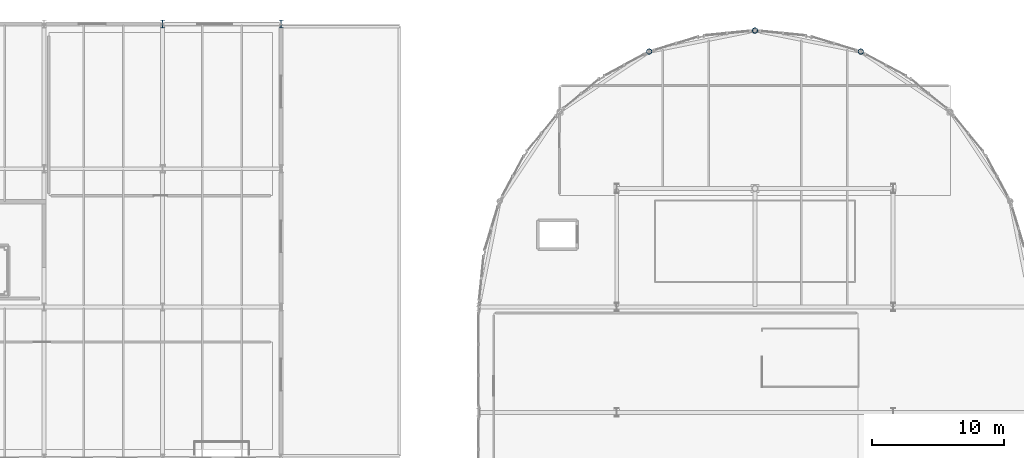
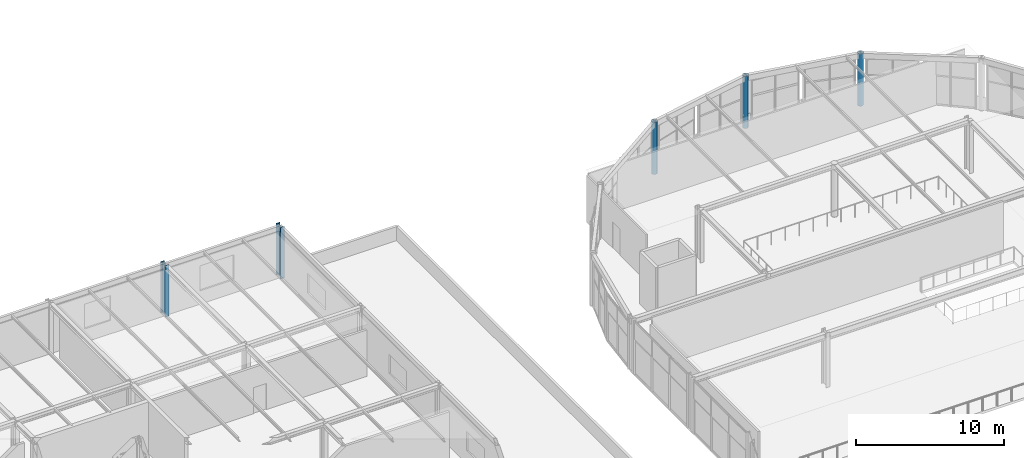
# One storey, part 13 of 105: 5 columns.
"""IFC4 building model written with IfcOpenShell, lengths in metres."""

from ifc_helpers import new_model, si_unit, direction, frame, origin, origin_2d, place, context, subcontext, project, spatial, hollow_circle, i_section, extrude, material, material_profile, profile_set, type_object, element, save


model = new_model("IFC4")

# Units and contexts
model_context = context("Model", 3, precision=1e-05, world=origin(), true_north=direction((0.0, 1.0)))
body_context = subcontext(model_context, "Body", "Model", "MODEL_VIEW")
ifc_project = project(units=[si_unit("LENGTHUNIT", "METRE"), si_unit("AREAUNIT", "SQUARE_METRE"), si_unit("VOLUMEUNIT", "CUBIC_METRE"), si_unit("PLANEANGLEUNIT", "RADIAN"), si_unit("MASSUNIT", "GRAM", prefix="KILO")], contexts=[model_context])

# Site, building, storey
site_placement = place(None, origin())
site = spatial("IfcSite", under=ifc_project, at=site_placement, CompositionType="ELEMENT")
building_placement = place(site_placement, origin())
building = spatial("IfcBuilding", under=site, at=building_placement, Name="Marlcrest Central Station", CompositionType="ELEMENT")
storey_placement = place(building_placement, frame((0.0, 0.0, 15.0)))
storey = spatial("IfcBuildingStorey", under=building, at=storey_placement, Name="L03", CompositionType="ELEMENT", Elevation=15.0)

# Columns
ifc_material = material(Name="Steel S355", Category="steel")
ifc_material_profile_1 = material_profile(ifc_material, i_section(OverallWidth=0.300048828125, OverallDepth=0.60009765625, WebThickness=0.015380859375, FlangeThickness=0.030029296875, FilletRadius=0.027099609375, at=origin_2d()), Name="HEB 600")
ifc_profile_set_1 = profile_set([ifc_material_profile_1], Name="Steel S355")
column_type_1 = type_object("IfcColumnType", Name="SC-05", PredefinedType="COLUMN", material=ifc_profile_set_1)
for number, where, z_axis, x_axis, name in (
    (1, (63.0, 132.0, 0.0), (0.0, 0.0, 1.0), (1.0, 0.0, 0.0), "col-SC-05-L03-0188"),
    (2, (72.0, 132.0, 0.0), (0.0, 0.0, 1.0), (1.0, 0.0, 0.0), "col-SC-05-L03-0192"),
):
    element("IfcColumn", number, at=place(storey_placement, frame(where, z_axis=z_axis, x_axis=x_axis)), inside=storey, type_object=column_type_1, Name=name, PredefinedType="COLUMN", context=body_context, shape_type="SweptSolid", body=[
        extrude(i_section(OverallWidth=0.300048828125, OverallDepth=0.60009765625, WebThickness=0.015380859375, FlangeThickness=0.030029296875, FilletRadius=0.027099609375, at=origin_2d()), origin(), (0.0, 0.0, 1.0), 4.235107421875),
    ])
ifc_material_profile_2 = material_profile(ifc_material, hollow_circle(Radius=0.203125, WallThickness=0.02001953125, at=origin_2d()), Name="CHS 406.4x20")
ifc_profile_set_2 = profile_set([ifc_material_profile_2], Name="Steel S355")
column_type_2 = type_object("IfcColumnType", Name="SC-10", PredefinedType="COLUMN", material=ifc_profile_set_2)
for number, where, z_axis, x_axis, name in (
    (3, (99.964111328125, 129.90087890625, 0.0), (0.0, 0.0, 1.0), (1.0, 0.0, 0.0), "col-SC-10-L03-0854"),
    (4, (108.0, 131.5, 0.0), (0.0, 0.0, 1.0), (1.0, 0.0, 0.0), "col-SC-10-L03-0858"),
    (5, (116.035888671875, 129.90087890625, 0.0), (0.0, 0.0, 1.0), (1.0, 0.0, 0.0), "col-SC-10-L03-0862"),
):
    element("IfcColumn", number, at=place(storey_placement, frame(where, z_axis=z_axis, x_axis=x_axis)), inside=storey, type_object=column_type_2, Name=name, PredefinedType="COLUMN", context=body_context, shape_type="SweptSolid", body=[
        extrude(hollow_circle(Radius=0.203125, WallThickness=0.02001953125, at=origin_2d()), origin(), (0.0, 0.0, 1.0), 4.31005859375),
    ])

save(model, "model.ifc")
